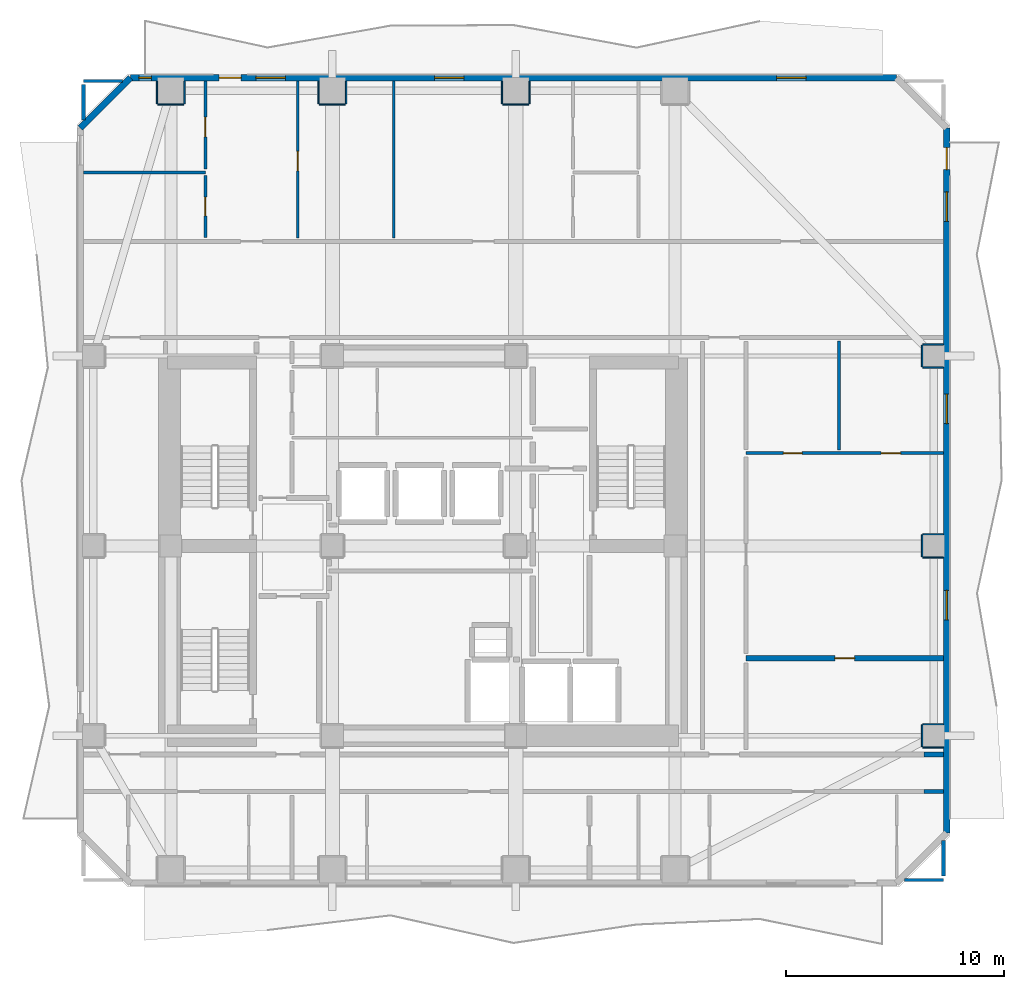
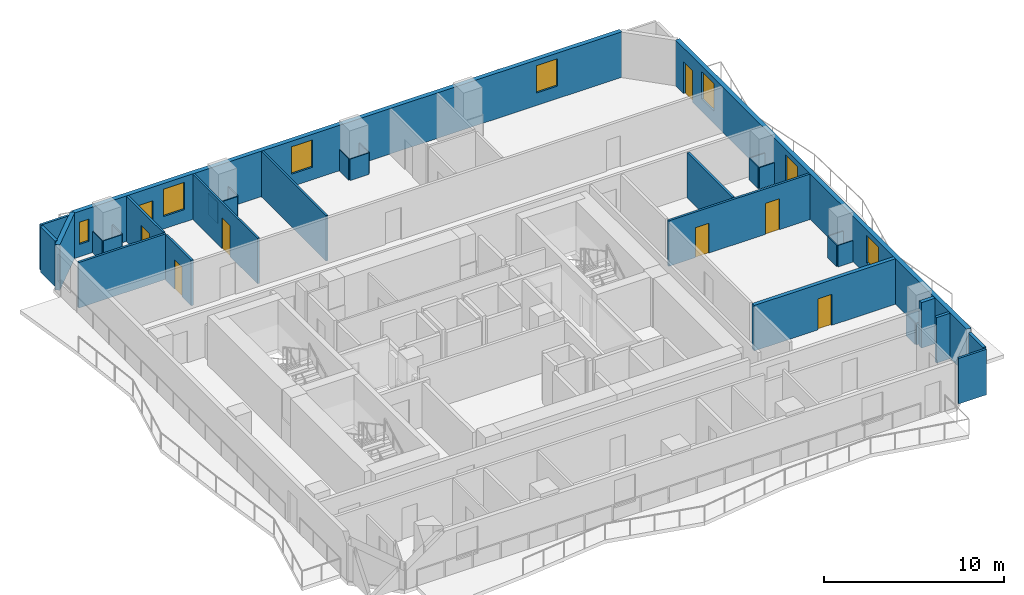
# One storey, part 5 of 9: 35 walls, 8 doors, 7 windows, 15 openings.
"""IFC4 building model written with IfcOpenShell, lengths in metres."""

from ifc_helpers import new_model, si_unit, direction, frame, frame_2d, origin, place, context, subcontext, project, spatial, rectangle, extrude, material, layer, layer_set, type_object, element, fill, save


model = new_model("IFC4")

# Units and contexts
model_context = context("Model", 3, precision=1e-05, world=origin(), true_north=direction((0.0, 1.0)))
body_context = subcontext(model_context, "Body", "Model", "MODEL_VIEW")
ifc_project = project(units=[si_unit("LENGTHUNIT", "METRE"), si_unit("AREAUNIT", "SQUARE_METRE"), si_unit("VOLUMEUNIT", "CUBIC_METRE"), si_unit("PLANEANGLEUNIT", "RADIAN"), si_unit("MASSUNIT", "GRAM", prefix="KILO")], contexts=[model_context])

# Site, building, storey
site_placement = place(None, origin())
site = spatial("IfcSite", under=ifc_project, at=site_placement, CompositionType="ELEMENT")
building_placement = place(site_placement, origin())
building = spatial("IfcBuilding", under=site, at=building_placement, Name="Solanera Arch Residences", CompositionType="ELEMENT")
storey_placement = place(building_placement, frame((0.0, 0.0, 152.56005859375)))
storey = spatial("IfcBuildingStorey", under=building, at=storey_placement, Name="L44", CompositionType="ELEMENT", Elevation=152.56005859375)

# Walls
ifc_material_1 = material(Name="Fire-Rated Gypsum Stud Partition", Category="gypsum")
ifc_layer_1 = layer(ifc_material_1, 0.06005859375)
ifc_layer_set_1 = layer_set([ifc_layer_1], Name="Fire-Rated Gypsum Stud Partition")
wall_type_1 = type_object("IfcWallType", Name="Column Acoustic Furring Wall 60", PredefinedType="PARTITIONING", material=ifc_layer_set_1)
wall_1_placement = place(storey_placement, frame((12.800048828125, 50.91796875, 0.0), z_axis=(0.0, 0.0, 1.0), x_axis=(1.0, 0.0, 0.0)))
element("IfcWall", 1, at=wall_1_placement, inside=storey, type_object=wall_type_1, Name="L44 Column Furring 10S", PredefinedType="PARTITIONING", context=body_context, shape_type="SweptSolid", body=[
    extrude(rectangle(XDim=1.199951171875, YDim=0.06005859375, at=frame_2d((0.60009765625, 0.0))), origin(), (0.0, 0.0, 1.0), 1.449951171875),
])
for number, where, z_axis, x_axis, name in (
    (2, (12.76806640625, 50.949951171875, 0.0), (0.0, 0.0, 1.0), (0.0, 1.0, 0.0), "L44 Column Furring 10W"),
    (3, (14.031982421875, 50.949951171875, 0.0), (0.0, 0.0, 1.0), (0.0, 1.0, 0.0), "L44 Column Furring 10E"),
):
    element("IfcWall", number, at=place(storey_placement, frame(where, z_axis=z_axis, x_axis=x_axis)), inside=storey, type_object=wall_type_1, Name=name, PredefinedType="PARTITIONING", context=body_context, shape_type="SweptSolid", body=[
        extrude(rectangle(XDim=1.0400390625, YDim=0.06005859375, at=frame_2d((0.52001953125, 0.0))), origin(), (0.0, 0.0, 1.0), 1.449951171875),
    ])
wall_2_placement = place(storey_placement, frame((20.199951171875, 50.91796875, 0.0), z_axis=(0.0, 0.0, 1.0), x_axis=(1.0, 0.0, 0.0)))
element("IfcWall", 4, at=wall_2_placement, inside=storey, type_object=wall_type_1, Name="L44 Column Furring 12S", PredefinedType="PARTITIONING", context=body_context, shape_type="SweptSolid", body=[
    extrude(rectangle(XDim=1.199951171875, YDim=0.06005859375, at=frame_2d((0.60009765625, 0.0))), origin(), (0.0, 0.0, 1.0), 1.449951171875),
])
for number, where, z_axis, x_axis, name in (
    (5, (20.16796875, 50.949951171875, 0.0), (0.0, 0.0, 1.0), (0.0, 1.0, 0.0), "L44 Column Furring 12W"),
    (6, (21.431884765625, 50.949951171875, 0.0), (0.0, 0.0, 1.0), (0.0, 1.0, 0.0), "L44 Column Furring 12E"),
):
    element("IfcWall", number, at=place(storey_placement, frame(where, z_axis=z_axis, x_axis=x_axis)), inside=storey, type_object=wall_type_1, Name=name, PredefinedType="PARTITIONING", context=body_context, shape_type="SweptSolid", body=[
        extrude(rectangle(XDim=1.0400390625, YDim=0.06005859375, at=frame_2d((0.52001953125, 0.0))), origin(), (0.0, 0.0, 1.0), 1.449951171875),
    ])
wall_3_placement = place(storey_placement, frame((28.60009765625, 50.91796875, 0.0), z_axis=(0.0, 0.0, 1.0), x_axis=(1.0, 0.0, 0.0)))
element("IfcWall", 7, at=wall_3_placement, inside=storey, type_object=wall_type_1, Name="L44 Column Furring 14S", PredefinedType="PARTITIONING", context=body_context, shape_type="SweptSolid", body=[
    extrude(rectangle(XDim=1.199951171875, YDim=0.06005859375, at=frame_2d((0.60009765625, 0.0))), origin(), (0.0, 0.0, 1.0), 1.449951171875),
])
for number, where, z_axis, x_axis, name in (
    (8, (28.568115234375, 50.949951171875, 0.0), (0.0, 0.0, 1.0), (0.0, 1.0, 0.0), "L44 Column Furring 14W"),
    (9, (29.83203125, 50.949951171875, 0.0), (0.0, 0.0, 1.0), (0.0, 1.0, 0.0), "L44 Column Furring 14E"),
):
    element("IfcWall", number, at=place(storey_placement, frame(where, z_axis=z_axis, x_axis=x_axis)), inside=storey, type_object=wall_type_1, Name=name, PredefinedType="PARTITIONING", context=body_context, shape_type="SweptSolid", body=[
        extrude(rectangle(XDim=1.0400390625, YDim=0.06005859375, at=frame_2d((0.52001953125, 0.0))), origin(), (0.0, 0.0, 1.0), 1.449951171875),
    ])
for number, where, z_axis, x_axis, name in (
    (10, (47.85009765625, 21.468017578125, 0.0), (0.0, 0.0, 1.0), (1.0, 0.0, 0.0), "L44 Column Furring 18S"),
    (11, (47.85009765625, 22.531982421875, 0.0), (0.0, 0.0, 1.0), (1.0, 0.0, 0.0), "L44 Column Furring 18N"),
):
    element("IfcWall", number, at=place(storey_placement, frame(where, z_axis=z_axis, x_axis=x_axis)), inside=storey, type_object=wall_type_1, Name=name, PredefinedType="PARTITIONING", context=body_context, shape_type="SweptSolid", body=[
        extrude(rectangle(XDim=0.93994140625, YDim=0.06005859375, at=frame_2d((0.469970703125, 0.0))), origin(), (0.0, 0.0, 1.0), 1.449951171875),
    ])
wall_4_placement = place(storey_placement, frame((47.818115234375, 21.5, 0.0), z_axis=(0.0, 0.0, 1.0), x_axis=(0.0, 1.0, 0.0)))
element("IfcWall", 12, at=wall_4_placement, inside=storey, type_object=wall_type_1, Name="L44 Column Furring 18W", PredefinedType="PARTITIONING", context=body_context, shape_type="SweptSolid", body=[
    extrude(rectangle(XDim=1.0, YDim=0.06005859375, at=frame_2d((0.5, 0.0))), origin(), (0.0, 0.0, 1.0), 1.449951171875),
])
for number, where, z_axis, x_axis, name in (
    (13, (47.85009765625, 30.16796875, 0.0), (0.0, 0.0, 1.0), (1.0, 0.0, 0.0), "L44 Column Furring 20S"),
    (14, (47.85009765625, 31.23193359375, 0.0), (0.0, 0.0, 1.0), (1.0, 0.0, 0.0), "L44 Column Furring 20N"),
):
    element("IfcWall", number, at=place(storey_placement, frame(where, z_axis=z_axis, x_axis=x_axis)), inside=storey, type_object=wall_type_1, Name=name, PredefinedType="PARTITIONING", context=body_context, shape_type="SweptSolid", body=[
        extrude(rectangle(XDim=0.93994140625, YDim=0.06005859375, at=frame_2d((0.469970703125, 0.0))), origin(), (0.0, 0.0, 1.0), 1.449951171875),
    ])
wall_5_placement = place(storey_placement, frame((47.818115234375, 30.199951171875, 0.0), z_axis=(0.0, 0.0, 1.0), x_axis=(0.0, 1.0, 0.0)))
element("IfcWall", 15, at=wall_5_placement, inside=storey, type_object=wall_type_1, Name="L44 Column Furring 20W", PredefinedType="PARTITIONING", context=body_context, shape_type="SweptSolid", body=[
    extrude(rectangle(XDim=1.0, YDim=0.06005859375, at=frame_2d((0.5, 0.0))), origin(), (0.0, 0.0, 1.0), 1.449951171875),
])
for number, where, z_axis, x_axis, name in (
    (16, (47.85009765625, 38.867919921875, 0.0), (0.0, 0.0, 1.0), (1.0, 0.0, 0.0), "L44 Column Furring 22S"),
    (17, (47.85009765625, 39.931884765625, 0.0), (0.0, 0.0, 1.0), (1.0, 0.0, 0.0), "L44 Column Furring 22N"),
):
    element("IfcWall", number, at=place(storey_placement, frame(where, z_axis=z_axis, x_axis=x_axis)), inside=storey, type_object=wall_type_1, Name=name, PredefinedType="PARTITIONING", context=body_context, shape_type="SweptSolid", body=[
        extrude(rectangle(XDim=0.93994140625, YDim=0.06005859375, at=frame_2d((0.469970703125, 0.0))), origin(), (0.0, 0.0, 1.0), 1.449951171875),
    ])
wall_6_placement = place(storey_placement, frame((47.818115234375, 38.89990234375, 0.0), z_axis=(0.0, 0.0, 1.0), x_axis=(0.0, 1.0, 0.0)))
element("IfcWall", 18, at=wall_6_placement, inside=storey, type_object=wall_type_1, Name="L44 Column Furring 22W", PredefinedType="PARTITIONING", context=body_context, shape_type="SweptSolid", body=[
    extrude(rectangle(XDim=1.0, YDim=0.06005859375, at=frame_2d((0.5, 0.0))), origin(), (0.0, 0.0, 1.0), 1.449951171875),
])
ifc_material_2 = material(Name="Autoclaved Aerated Concrete Blockwork", Category="masonry")
ifc_layer_2 = layer(ifc_material_2, 0.179931640625)
ifc_layer_set_2 = layer_set([ifc_layer_2], Name="Autoclaved Aerated Concrete Blockwork")
wall_type_2 = type_object("IfcWallType", Name="Corridor Fire Partition 180", PredefinedType="PARTITIONING", material=ifc_layer_set_2)
wall_7_placement = place(storey_placement, frame((47.910888671875, 19.449951171875, 0.0), z_axis=(0.0, 0.0, 1.0), x_axis=(1.0, 0.0, 0.0)))
element("IfcWall", 19, at=wall_7_placement, inside=storey, type_object=wall_type_2, Name="L44 Interior Partition H7 3", PredefinedType="PARTITIONING", context=body_context, shape_type="SweptSolid", body=[
    extrude(rectangle(XDim=0.882080078125, YDim=0.179931640625, at=frame_2d((0.44091796875, 0.0))), origin(), (0.0, 0.0, 1.0), 3.079833984375),
])
for number, where, z_axis, x_axis, name in (
    (20, (9.39990234375, 50.205078125, 0.0), (0.0, 0.0, 1.0), (0.0, 1.0, 0.0), "L44 Interior Partition V7 2"),
    (21, (48.800048828125, 15.568115234375, 0.0), (0.0, 0.0, 1.0), (0.0, 1.0, 0.0), "L44 Interior Partition V14 1"),
):
    element("IfcWall", number, at=place(storey_placement, frame(where, z_axis=z_axis, x_axis=x_axis)), inside=storey, type_object=wall_type_2, Name=name, PredefinedType="PARTITIONING", context=body_context, shape_type="SweptSolid", body=[
        extrude(rectangle(XDim=1.626953125, YDim=0.179931640625, at=frame_2d((0.8134765625, 0.0))), origin(), (0.0, 0.0, 1.0), 3.079833984375),
    ])
ifc_material_3 = material(Name="Precast Concrete C35/45", Category="concrete")
ifc_layer_3 = layer(ifc_material_3, 0.280029296875)
ifc_layer_set_3 = layer_set([ifc_layer_3], Name="Precast Concrete C35/45")
wall_type_3 = type_object("IfcWallType", Name="Exterior Wall Precast Masonry-Frame 280", PredefinedType="STANDARD", material=ifc_layer_set_3)
wall_8_placement = place(storey_placement, frame((9.2548828125, 49.844970703125, 0.0), z_axis=(0.0, 0.0, 1.0), x_axis=(0.707106781187, 0.707106781187, 0.0)))
element("IfcWall", 22, at=wall_8_placement, inside=storey, type_object=wall_type_3, Name="L44 Tower Exterior Precast Masonry-Frame Wall CH1", PredefinedType="STANDARD", context=body_context, shape_type="SweptSolid", body=[
    extrude(rectangle(XDim=3.252685546875, YDim=0.280029296875, at=frame_2d((1.62646484375, 0.0))), origin(), (0.0, 0.0, 1.0), 3.079833984375),
])

# Wall, openings, door, windows
wall_9_placement = place(storey_placement, frame((11.554931640625, 52.14501953125, 0.0), z_axis=(0.0, 0.0, 1.0), x_axis=(1.0, 0.0, 0.0)))
wall_9 = element("IfcWall", 23, at=wall_9_placement, inside=storey, type_object=wall_type_3, Name="L44 Tower Exterior Precast Masonry-Frame Wall N", PredefinedType="STANDARD", context=body_context, shape_type="SweptSolid", body=[
    extrude(rectangle(XDim=35.090087890625, YDim=0.280029296875, at=frame_2d((17.544921875, 0.0))), origin(), (0.0, 0.0, 1.0), 3.079833984375),
])
opening_1_placement = place(wall_9_placement, frame((4.06201171875, 0.0, 0.0)))
opening_1 = element("IfcOpeningElement", 24, at=opening_1_placement, cuts=wall_9, Name="Opening DB-01", PredefinedType="OPENING", context=body_context, shape_type="SweptSolid", body=[
    extrude(rectangle(XDim=1.0, YDim=2.14990234375, at=frame_2d((0.5, 1.074951171875))), frame((0.0, 0.14990234375, 0.0), z_axis=(0.0, -1.0, 0.0), x_axis=(1.0, 0.0, 0.0)), (0.0, 0.0, 1.0), 0.3),
])
opening_2_placement = place(wall_9_placement, frame((5.738037109375, 0.0, 0.85009765625)))
opening_2 = element("IfcOpeningElement", 25, at=opening_2_placement, cuts=wall_9, Name="Opening W-10", PredefinedType="OPENING", context=body_context, shape_type="SweptSolid", body=[
    extrude(rectangle(XDim=1.35009765625, YDim=1.85009765625, at=frame_2d((0.675048828125, 0.925048828125))), frame((0.0, 0.14990234375, 0.0), z_axis=(0.0, -1.0, 0.0), x_axis=(1.0, 0.0, 0.0)), (0.0, 0.0, 1.0), 0.3),
])
opening_3_placement = place(wall_9_placement, frame((0.3779296875, 0.0, 0.85009765625)))
opening_3 = element("IfcOpeningElement", 26, at=opening_3_placement, cuts=wall_9, Name="Opening W-14", PredefinedType="OPENING", context=body_context, shape_type="SweptSolid", body=[
    extrude(rectangle(XDim=0.580078125, YDim=1.5, at=frame_2d((0.2900390625, 0.75))), frame((0.0, 0.14990234375, 0.0), z_axis=(0.0, -1.0, 0.0), x_axis=(1.0, 0.0, 0.0)), (0.0, 0.0, 1.0), 0.3),
])
opening_4_placement = place(wall_9_placement, frame((13.925048828125, 0.0, 0.85009765625)))
opening_4 = element("IfcOpeningElement", 27, at=opening_4_placement, cuts=wall_9, Name="Opening W-10", PredefinedType="OPENING", context=body_context, shape_type="SweptSolid", body=[
    extrude(rectangle(XDim=1.35009765625, YDim=1.85009765625, at=frame_2d((0.675048828125, 0.925048828125))), frame((0.0, 0.14990234375, 0.0), z_axis=(0.0, -1.0, 0.0), x_axis=(1.0, 0.0, 0.0)), (0.0, 0.0, 1.0), 0.3),
])
opening_5_placement = place(wall_9_placement, frame((29.597900390625, 0.0, 0.85009765625)))
opening_5 = element("IfcOpeningElement", 28, at=opening_5_placement, cuts=wall_9, Name="Opening W-10", PredefinedType="OPENING", context=body_context, shape_type="SweptSolid", body=[
    extrude(rectangle(XDim=1.35009765625, YDim=1.85009765625, at=frame_2d((0.675048828125, 0.925048828125))), frame((0.0, 0.14990234375, 0.0), z_axis=(0.0, -1.0, 0.0), x_axis=(1.0, 0.0, 0.0)), (0.0, 0.0, 1.0), 0.3),
])
ifc_material_4 = material(Name="Anodised Aluminium Alloy 6063-T6", Category="aluminium")
door_type_1 = type_object("IfcDoorType", Name="Glazed Balcony Swing Door DB-01", OperationType="NOTDEFINED", PredefinedType="DOOR", material=ifc_material_4)
door_1_placement = place(opening_1_placement, origin())
door_1 = element("IfcDoor", 29, at=door_1_placement, inside=storey, type_object=door_type_1, Name="DR-L44-OUT-02", OperationType="SINGLE_SWING_LEFT", OverallHeight=2.14990234375, OverallWidth=1.0, PredefinedType="DOOR", context=body_context, shape_type="SweptSolid", body=[
    extrude(rectangle(XDim=1.0, YDim=2.14990234375, at=frame_2d((0.5, 1.074951171875))), frame((0.0, 0.02490234375, 0.0), z_axis=(0.0, -1.0, 0.0), x_axis=(1.0, 0.0, 0.0)), (0.0, 0.0, 1.0), 0.050048828125),
])
fill(opening_1, door_1)
ifc_material_5 = material(Name="Double Glazed Low-E Laminated Glass", Category="glass")
window_type_1 = type_object("IfcWindowType", Name="Punched Window W-10", PartitioningType="DOUBLE_PANEL_VERTICAL", PredefinedType="WINDOW", material=ifc_material_5)
window_1_placement = place(opening_2_placement, origin())
window_1 = element("IfcWindow", 30, at=window_1_placement, inside=storey, type_object=window_type_1, Name="L44 4404-LIV Punched Window", OverallHeight=1.85009765625, OverallWidth=1.35009765625, PartitioningType="SINGLE_PANEL", PredefinedType="WINDOW", context=body_context, shape_type="SweptSolid", body=[
    extrude(rectangle(XDim=1.35009765625, YDim=1.85009765625, at=frame_2d((0.675048828125, 0.925048828125))), frame((0.0, 0.030029296875, 0.0), z_axis=(0.0, -1.0, 0.0), x_axis=(1.0, 0.0, 0.0)), (0.0, 0.0, 1.0), 0.06005859375),
])
fill(opening_2, window_1)
window_2_placement = place(opening_4_placement, origin())
window_2 = element("IfcWindow", 31, at=window_2_placement, inside=storey, type_object=window_type_1, Name="L44 4405-LIV Punched Window", OverallHeight=1.85009765625, OverallWidth=1.35009765625, PartitioningType="SINGLE_PANEL", PredefinedType="WINDOW", context=body_context, shape_type="SweptSolid", body=[
    extrude(rectangle(XDim=1.35009765625, YDim=1.85009765625, at=frame_2d((0.675048828125, 0.925048828125))), frame((0.0, 0.030029296875, 0.0), z_axis=(0.0, -1.0, 0.0), x_axis=(1.0, 0.0, 0.0)), (0.0, 0.0, 1.0), 0.06005859375),
])
fill(opening_4, window_2)
window_3_placement = place(opening_5_placement, origin())
window_3 = element("IfcWindow", 32, at=window_3_placement, inside=storey, type_object=window_type_1, Name="L44 AMN-LOUN Punched Window", OverallHeight=1.85009765625, OverallWidth=1.35009765625, PartitioningType="SINGLE_PANEL", PredefinedType="WINDOW", context=body_context, shape_type="SweptSolid", body=[
    extrude(rectangle(XDim=1.35009765625, YDim=1.85009765625, at=frame_2d((0.675048828125, 0.925048828125))), frame((0.0, 0.030029296875, 0.0), z_axis=(0.0, -1.0, 0.0), x_axis=(1.0, 0.0, 0.0)), (0.0, 0.0, 1.0), 0.06005859375),
])
fill(opening_5, window_3)
ifc_material_6 = material(Name="Double Glazed Low-E Laminated Glass", Category="glass")
window_type_2 = type_object("IfcWindowType", Name="Punched Window W-14", PartitioningType="SINGLE_PANEL", PredefinedType="WINDOW", material=ifc_material_6)
window_4_placement = place(opening_3_placement, origin())
window_4 = element("IfcWindow", 33, at=window_4_placement, inside=storey, type_object=window_type_2, Name="L44 4404-BR1 Punched Window", OverallHeight=1.5, OverallWidth=0.580078125, PartitioningType="SINGLE_PANEL", PredefinedType="WINDOW", context=body_context, shape_type="SweptSolid", body=[
    extrude(rectangle(XDim=0.580078125, YDim=1.5, at=frame_2d((0.2900390625, 0.75))), frame((0.0, 0.030029296875, 0.0), z_axis=(0.0, -1.0, 0.0), x_axis=(1.0, 0.0, 0.0)), (0.0, 0.0, 1.0), 0.06005859375),
])
fill(opening_3, window_4)

wall_10_placement = place(storey_placement, frame((48.945068359375, 49.844970703125, 0.0), z_axis=(0.0, 0.0, 1.0), x_axis=(0.0, -1.0, 0.0)))
wall_10 = element("IfcWall", 34, at=wall_10_placement, inside=storey, type_object=wall_type_3, Name="L44 Tower Exterior Precast Masonry-Frame Wall E", PredefinedType="STANDARD", context=body_context, shape_type="SweptSolid", body=[
    extrude(rectangle(XDim=32.2900390625, YDim=0.280029296875, at=frame_2d((16.14501953125, 0.0))), origin(), (0.0, 0.0, 1.0), 3.079833984375),
])
opening_6_placement = place(wall_10_placement, frame((0.904052734375, 0.0, 0.0)))
opening_6 = element("IfcOpeningElement", 35, at=opening_6_placement, cuts=wall_10, Name="Opening DB-01", PredefinedType="OPENING", context=body_context, shape_type="SweptSolid", body=[
    extrude(rectangle(XDim=1.0, YDim=2.14990234375, at=frame_2d((0.5, 1.074951171875))), frame((0.0, 0.14990234375, 0.0), z_axis=(0.0, -1.0, 0.0), x_axis=(1.0, 0.0, 0.0)), (0.0, 0.0, 1.0), 0.3),
])
opening_7_placement = place(wall_10_placement, frame((2.924072265625, 0.0, 0.85009765625)))
opening_7 = element("IfcOpeningElement", 36, at=opening_7_placement, cuts=wall_10, Name="Opening W-10", PredefinedType="OPENING", context=body_context, shape_type="SweptSolid", body=[
    extrude(rectangle(XDim=1.35009765625, YDim=1.85009765625, at=frame_2d((0.675048828125, 0.925048828125))), frame((0.0, 0.14990234375, 0.0), z_axis=(0.0, -1.0, 0.0), x_axis=(1.0, 0.0, 0.0)), (0.0, 0.0, 1.0), 0.3),
])
opening_8_placement = place(wall_10_placement, frame((21.18603515625, 0.0, 0.85009765625)))
opening_8 = element("IfcOpeningElement", 37, at=opening_8_placement, cuts=wall_10, Name="Opening W-10", PredefinedType="OPENING", context=body_context, shape_type="SweptSolid", body=[
    extrude(rectangle(XDim=1.35009765625, YDim=1.85009765625, at=frame_2d((0.675048828125, 0.925048828125))), frame((0.0, 0.14990234375, 0.0), z_axis=(0.0, -1.0, 0.0), x_axis=(1.0, 0.0, 0.0)), (0.0, 0.0, 1.0), 0.3),
])
opening_9_placement = place(wall_10_placement, frame((12.195068359375, 0.0, 0.85009765625)))
opening_9 = element("IfcOpeningElement", 38, at=opening_9_placement, cuts=wall_10, Name="Opening W-10", PredefinedType="OPENING", context=body_context, shape_type="SweptSolid", body=[
    extrude(rectangle(XDim=1.35009765625, YDim=1.85009765625, at=frame_2d((0.675048828125, 0.925048828125))), frame((0.0, 0.14990234375, 0.0), z_axis=(0.0, -1.0, 0.0), x_axis=(1.0, 0.0, 0.0)), (0.0, 0.0, 1.0), 0.3),
])
door_2_placement = place(opening_6_placement, origin())
door_2 = element("IfcDoor", 39, at=door_2_placement, inside=storey, type_object=door_type_1, Name="DR-L44-OUT-03", OperationType="SINGLE_SWING_RIGHT", OverallHeight=2.14990234375, OverallWidth=1.0, PredefinedType="DOOR", context=body_context, shape_type="SweptSolid", body=[
    extrude(rectangle(XDim=1.0, YDim=2.14990234375, at=frame_2d((0.5, 1.074951171875))), frame((0.0, 0.02490234375, 0.0), z_axis=(0.0, -1.0, 0.0), x_axis=(1.0, 0.0, 0.0)), (0.0, 0.0, 1.0), 0.050048828125),
])
fill(opening_6, door_2)
window_5_placement = place(opening_7_placement, origin())
window_5 = element("IfcWindow", 40, at=window_5_placement, inside=storey, type_object=window_type_1, Name="L44 AMN-LOUN Punched Window", OverallHeight=1.85009765625, OverallWidth=1.35009765625, PartitioningType="SINGLE_PANEL", PredefinedType="WINDOW", context=body_context, shape_type="SweptSolid", body=[
    extrude(rectangle(XDim=1.35009765625, YDim=1.85009765625, at=frame_2d((0.675048828125, 0.925048828125))), frame((0.0, 0.030029296875, 0.0), z_axis=(0.0, -1.0, 0.0), x_axis=(1.0, 0.0, 0.0)), (0.0, 0.0, 1.0), 0.06005859375),
])
fill(opening_7, window_5)
window_6_placement = place(opening_8_placement, origin())
window_6 = element("IfcWindow", 41, at=window_6_placement, inside=storey, type_object=window_type_1, Name="L44 4406-LIV Punched Window", OverallHeight=1.85009765625, OverallWidth=1.35009765625, PartitioningType="SINGLE_PANEL", PredefinedType="WINDOW", context=body_context, shape_type="SweptSolid", body=[
    extrude(rectangle(XDim=1.35009765625, YDim=1.85009765625, at=frame_2d((0.675048828125, 0.925048828125))), frame((0.0, 0.030029296875, 0.0), z_axis=(0.0, -1.0, 0.0), x_axis=(1.0, 0.0, 0.0)), (0.0, 0.0, 1.0), 0.06005859375),
])
fill(opening_8, window_6)
window_7_placement = place(opening_9_placement, origin())
window_7 = element("IfcWindow", 42, at=window_7_placement, inside=storey, type_object=window_type_1, Name="L44 4406-BR1 Punched Window", OverallHeight=1.85009765625, OverallWidth=1.35009765625, PartitioningType="SINGLE_PANEL", PredefinedType="WINDOW", context=body_context, shape_type="SweptSolid", body=[
    extrude(rectangle(XDim=1.35009765625, YDim=1.85009765625, at=frame_2d((0.675048828125, 0.925048828125))), frame((0.0, 0.030029296875, 0.0), z_axis=(0.0, -1.0, 0.0), x_axis=(1.0, 0.0, 0.0)), (0.0, 0.0, 1.0), 0.06005859375),
])
fill(opening_9, window_7)

# Wall
ifc_material_7 = material(Name="Autoclaved Aerated Concrete Blockwork", Category="masonry")
ifc_layer_4 = layer(ifc_material_7, 0.239990234375)
ifc_layer_set_4 = layer_set([ifc_layer_4], Name="Autoclaved Aerated Concrete Blockwork")
wall_type_4 = type_object("IfcWallType", Name="Shaft Wall Fire-Rated 240", PredefinedType="PARTITIONING", material=ifc_layer_set_4)
wall_11_placement = place(storey_placement, frame((47.910888671875, 21.14990234375, 0.0), z_axis=(0.0, 0.0, 1.0), x_axis=(1.0, 0.0, 0.0)))
element("IfcWall", 43, at=wall_11_placement, inside=storey, type_object=wall_type_4, Name="L44 Interior Partition H1 3", PredefinedType="PARTITIONING", context=body_context, shape_type="SweptSolid", body=[
    extrude(rectangle(XDim=0.882080078125, YDim=0.239990234375, at=frame_2d((0.44091796875, 0.0))), origin(), (0.0, 0.0, 1.0), 3.079833984375),
])

# Wall, opening, door
wall_12_placement = place(storey_placement, frame((39.75, 25.550048828125, 0.0), z_axis=(0.0, 0.0, 1.0), x_axis=(1.0, 0.0, 0.0)))
wall_12 = element("IfcWall", 44, at=wall_12_placement, inside=storey, type_object=wall_type_4, Name="L44 Interior Partition H3", PredefinedType="PARTITIONING", context=body_context, shape_type="SweptSolid", body=[
    extrude(rectangle(XDim=9.04296875, YDim=0.239990234375, at=frame_2d((4.521484375, 0.0))), origin(), (0.0, 0.0, 1.0), 3.079833984375),
])
opening_10_placement = place(wall_12_placement, frame((4.074951171875, 0.0, 0.0)))
opening_10 = element("IfcOpeningElement", 45, at=opening_10_placement, cuts=wall_12, Name="Opening DI-02", PredefinedType="OPENING", context=body_context, shape_type="SweptSolid", body=[
    extrude(rectangle(XDim=0.89990234375, YDim=2.10009765625, at=frame_2d((0.449951171875, 1.050048828125))), frame((0.0, 0.1298828125, 0.0), z_axis=(0.0, -1.0, 0.0), x_axis=(1.0, 0.0, 0.0)), (0.0, 0.0, 1.0), 0.26),
])
ifc_material_8 = material(Name="Fire-Rated Architectural Hardwood", Category="wood")
door_type_2 = type_object("IfcDoorType", Name="Suite Room Swing Door DI-02", OperationType="NOTDEFINED", PredefinedType="DOOR", material=ifc_material_8)
door_3_placement = place(opening_10_placement, origin())
door_3 = element("IfcDoor", 46, at=door_3_placement, inside=storey, type_object=door_type_2, Name="DR-L44-IN-034", OperationType="SINGLE_SWING_LEFT", OverallHeight=2.10009765625, OverallWidth=0.89990234375, PredefinedType="DOOR", context=body_context, shape_type="SweptSolid", body=[
    extrude(rectangle(XDim=0.89990234375, YDim=2.10009765625, at=frame_2d((0.449951171875, 1.050048828125))), frame((0.0, 0.02490234375, 0.0), z_axis=(0.0, -1.0, 0.0), x_axis=(1.0, 0.0, 0.0)), (0.0, 0.0, 1.0), 0.050048828125),
])
fill(opening_10, door_3)

ifc_material_9 = material(Name="Fire-Rated Gypsum Stud Partition", Category="gypsum")
ifc_layer_5 = layer(ifc_material_9, 0.1201171875)
ifc_layer_set_5 = layer_set([ifc_layer_5], Name="Fire-Rated Gypsum Stud Partition")
wall_type_5 = type_object("IfcWallType", Name="Unit Drywall Partition 120", PredefinedType="PARTITIONING", material=ifc_layer_set_5)
wall_13_placement = place(storey_placement, frame((19.219970703125, 44.80810546875, 0.0), z_axis=(0.0, 0.0, 1.0), x_axis=(0.0, 1.0, 0.0)))
wall_13 = element("IfcWall", 47, at=wall_13_placement, inside=storey, type_object=wall_type_5, Name="L44 Interior Partition V24", PredefinedType="PARTITIONING", context=body_context, shape_type="SweptSolid", body=[
    extrude(rectangle(XDim=7.184814453125, YDim=0.1201171875, at=frame_2d((3.59228515625, 0.0))), origin(), (0.0, 0.0, 1.0), 3.079833984375),
])
opening_11_placement = place(wall_13_placement, frame((3.06689453125, 0.0, 0.0)))
opening_11 = element("IfcOpeningElement", 48, at=opening_11_placement, cuts=wall_13, Name="Opening DI-02", PredefinedType="OPENING", context=body_context, shape_type="SweptSolid", body=[
    extrude(rectangle(XDim=0.89990234375, YDim=2.10009765625, at=frame_2d((0.449951171875, 1.050048828125))), frame((0.0, 0.070068359375, 0.0), z_axis=(0.0, -1.0, 0.0), x_axis=(1.0, 0.0, 0.0)), (0.0, 0.0, 1.0), 0.1401),
])
door_4_placement = place(opening_11_placement, origin())
door_4 = element("IfcDoor", 49, at=door_4_placement, inside=storey, type_object=door_type_2, Name="DR-L44-IN-028", OperationType="SINGLE_SWING_LEFT", OverallHeight=2.10009765625, OverallWidth=0.89990234375, PredefinedType="DOOR", context=body_context, shape_type="SweptSolid", body=[
    extrude(rectangle(XDim=0.89990234375, YDim=2.10009765625, at=frame_2d((0.449951171875, 1.050048828125))), frame((0.0, 0.02490234375, 0.0), z_axis=(0.0, -1.0, 0.0), x_axis=(1.0, 0.0, 0.0)), (0.0, 0.0, 1.0), 0.050048828125),
])
fill(opening_11, door_4)

# Walls
wall_14_placement = place(storey_placement, frame((23.610107421875, 44.80810546875, 0.0), z_axis=(0.0, 0.0, 1.0), x_axis=(0.0, 1.0, 0.0)))
element("IfcWall", 50, at=wall_14_placement, inside=storey, type_object=wall_type_5, Name="L44 Interior Partition V26", PredefinedType="PARTITIONING", context=body_context, shape_type="SweptSolid", body=[
    extrude(rectangle(XDim=7.184814453125, YDim=0.1201171875, at=frame_2d((3.59228515625, 0.0))), origin(), (0.0, 0.0, 1.0), 3.079833984375),
])
ifc_material_10 = material(Name="Autoclaved Aerated Concrete Blockwork", Category="masonry")
ifc_layer_6 = layer(ifc_material_10, 0.139892578125)
ifc_layer_set_6 = layer_set([ifc_layer_6], Name="Autoclaved Aerated Concrete Blockwork")
wall_type_6 = type_object("IfcWallType", Name="Wet-Room Partition 140", PredefinedType="PARTITIONING", material=ifc_layer_set_6)
wall_15_placement = place(storey_placement, frame((47.0048828125, 15.39990234375, 0.0), z_axis=(0.0, 0.0, 1.0), x_axis=(1.0, 0.0, 0.0)))
element("IfcWall", 51, at=wall_15_placement, inside=storey, type_object=wall_type_6, Name="L44 Interior Partition H13 2", PredefinedType="PARTITIONING", context=body_context, shape_type="SweptSolid", body=[
    extrude(rectangle(XDim=1.795166015625, YDim=0.139892578125, at=frame_2d((0.8974609375, 0.0))), origin(), (0.0, 0.0, 1.0), 3.079833984375),
])

# Wall, openings, doors
wall_16_placement = place(storey_placement, frame((39.75, 34.949951171875, 0.0), z_axis=(0.0, 0.0, 1.0), x_axis=(1.0, 0.0, 0.0)))
wall_16 = element("IfcWall", 52, at=wall_16_placement, inside=storey, type_object=wall_type_6, Name="L44 Interior Partition H14", PredefinedType="PARTITIONING", context=body_context, shape_type="SweptSolid", body=[
    extrude(rectangle(XDim=9.04296875, YDim=0.139892578125, at=frame_2d((4.521484375, 0.0))), origin(), (0.0, 0.0, 1.0), 3.079833984375),
])
opening_12_placement = place(wall_16_placement, frame((1.7080078125, 0.0, 0.0)))
opening_12 = element("IfcOpeningElement", 53, at=opening_12_placement, cuts=wall_16, Name="Opening DI-05", PredefinedType="OPENING", context=body_context, shape_type="SweptSolid", body=[
    extrude(rectangle(XDim=0.860107421875, YDim=2.02001953125, at=frame_2d((0.43017578125, 1.010009765625))), frame((0.0, 0.079833984375, 0.0), z_axis=(0.0, -1.0, 0.0), x_axis=(1.0, 0.0, 0.0)), (0.0, 0.0, 1.0), 0.1599),
])
opening_13_placement = place(wall_16_placement, frame((6.18701171875, 0.0, 0.0)))
opening_13 = element("IfcOpeningElement", 54, at=opening_13_placement, cuts=wall_16, Name="Opening DI-03", PredefinedType="OPENING", context=body_context, shape_type="SweptSolid", body=[
    extrude(rectangle(XDim=0.89990234375, YDim=2.10009765625, at=frame_2d((0.449951171875, 1.050048828125))), frame((0.0, 0.079833984375, 0.0), z_axis=(0.0, -1.0, 0.0), x_axis=(1.0, 0.0, 0.0)), (0.0, 0.0, 1.0), 0.1599),
])
ifc_material_11 = material(Name="Fire-Rated Architectural Hardwood", Category="wood")
door_type_3 = type_object("IfcDoorType", Name="Bathroom Swing Door DI-05", OperationType="NOTDEFINED", PredefinedType="DOOR", material=ifc_material_11)
door_5_placement = place(opening_12_placement, origin())
door_5 = element("IfcDoor", 55, at=door_5_placement, inside=storey, type_object=door_type_3, Name="DR-L44-IN-035", OperationType="SINGLE_SWING_RIGHT", OverallHeight=2.02001953125, OverallWidth=0.860107421875, PredefinedType="DOOR", context=body_context, shape_type="SweptSolid", body=[
    extrude(rectangle(XDim=0.860107421875, YDim=2.02001953125, at=frame_2d((0.43017578125, 1.010009765625))), frame((0.0, 0.02490234375, 0.0), z_axis=(0.0, -1.0, 0.0), x_axis=(1.0, 0.0, 0.0)), (0.0, 0.0, 1.0), 0.050048828125),
])
fill(opening_12, door_5)
ifc_material_12 = material(Name="Fire-Rated Architectural Hardwood", Category="wood")
door_type_4 = type_object("IfcDoorType", Name="Bedroom Swing Door DI-03", OperationType="NOTDEFINED", PredefinedType="DOOR", material=ifc_material_12)
door_6_placement = place(opening_13_placement, origin())
door_6 = element("IfcDoor", 56, at=door_6_placement, inside=storey, type_object=door_type_4, Name="DR-L44-IN-036", OperationType="SINGLE_SWING_LEFT", OverallHeight=2.10009765625, OverallWidth=0.89990234375, PredefinedType="DOOR", context=body_context, shape_type="SweptSolid", body=[
    extrude(rectangle(XDim=0.89990234375, YDim=2.10009765625, at=frame_2d((0.449951171875, 1.050048828125))), frame((0.0, 0.02490234375, 0.0), z_axis=(0.0, -1.0, 0.0), x_axis=(1.0, 0.0, 0.0)), (0.0, 0.0, 1.0), 0.050048828125),
])
fill(opening_13, door_6)

# Walls
wall_17_placement = place(storey_placement, frame((9.406982421875, 47.81005859375, 0.0), z_axis=(0.0, 0.0, 1.0), x_axis=(1.0, 0.0, 0.0)))
element("IfcWall", 57, at=wall_17_placement, inside=storey, type_object=wall_type_6, Name="L44 Interior Partition H15", PredefinedType="PARTITIONING", context=body_context, shape_type="SweptSolid", body=[
    extrude(rectangle(XDim=5.572998046875, YDim=0.139892578125, at=frame_2d((2.78662109375, 0.0))), origin(), (0.0, 0.0, 1.0), 3.079833984375),
])
wall_18_placement = place(storey_placement, frame((9.39990234375, 52.0, 0.0), z_axis=(0.0, 0.0, 1.0), x_axis=(1.0, 0.0, 0.0)))
element("IfcWall", 58, at=wall_18_placement, inside=storey, type_object=wall_type_6, Name="L44 Interior Partition H17 1", PredefinedType="PARTITIONING", context=body_context, shape_type="SweptSolid", body=[
    extrude(rectangle(XDim=1.795166015625, YDim=0.139892578125, at=frame_2d((0.8974609375, 0.0))), origin(), (0.0, 0.0, 1.0), 3.079833984375),
])

# Wall, opening, door
wall_19_placement = place(storey_placement, frame((14.97998046875, 44.818115234375, 0.0), z_axis=(0.0, 0.0, 1.0), x_axis=(0.0, 1.0, 0.0)))
wall_19 = element("IfcWall", 59, at=wall_19_placement, inside=storey, type_object=wall_type_6, Name="L44 Interior Partition V16 1", PredefinedType="PARTITIONING", context=body_context, shape_type="SweptSolid", body=[
    extrude(rectangle(XDim=2.843994140625, YDim=0.139892578125, at=frame_2d((1.421875, 0.0))), origin(), (0.0, 0.0, 1.0), 3.079833984375),
])
opening_14_placement = place(wall_19_placement, frame((0.9951171875, 0.0, 0.0)))
opening_14 = element("IfcOpeningElement", 60, at=opening_14_placement, cuts=wall_19, Name="Opening DI-05", PredefinedType="OPENING", context=body_context, shape_type="SweptSolid", body=[
    extrude(rectangle(XDim=0.860107421875, YDim=2.02001953125, at=frame_2d((0.43017578125, 1.010009765625))), frame((0.0, 0.079833984375, 0.0), z_axis=(0.0, -1.0, 0.0), x_axis=(1.0, 0.0, 0.0)), (0.0, 0.0, 1.0), 0.1599),
])
door_7_placement = place(opening_14_placement, origin())
door_7 = element("IfcDoor", 61, at=door_7_placement, inside=storey, type_object=door_type_3, Name="DR-L44-IN-026", OperationType="SINGLE_SWING_LEFT", OverallHeight=2.02001953125, OverallWidth=0.860107421875, PredefinedType="DOOR", context=body_context, shape_type="SweptSolid", body=[
    extrude(rectangle(XDim=0.860107421875, YDim=2.02001953125, at=frame_2d((0.43017578125, 1.010009765625))), frame((0.0, 0.02490234375, 0.0), z_axis=(0.0, -1.0, 0.0), x_axis=(1.0, 0.0, 0.0)), (0.0, 0.0, 1.0), 0.050048828125),
])
fill(opening_14, door_7)

wall_20_placement = place(storey_placement, frame((14.97998046875, 47.9580078125, 0.0), z_axis=(0.0, 0.0, 1.0), x_axis=(0.0, 1.0, 0.0)))
wall_20 = element("IfcWall", 62, at=wall_20_placement, inside=storey, type_object=wall_type_6, Name="L44 Interior Partition V16 2", PredefinedType="PARTITIONING", context=body_context, shape_type="SweptSolid", body=[
    extrude(rectangle(XDim=4.034912109375, YDim=0.139892578125, at=frame_2d((2.017578125, 0.0))), origin(), (0.0, 0.0, 1.0), 3.079833984375),
])
opening_15_placement = place(wall_20_placement, frame((1.48388671875, 0.0, 0.0)))
opening_15 = element("IfcOpeningElement", 63, at=opening_15_placement, cuts=wall_20, Name="Opening DI-03", PredefinedType="OPENING", context=body_context, shape_type="SweptSolid", body=[
    extrude(rectangle(XDim=0.89990234375, YDim=2.10009765625, at=frame_2d((0.449951171875, 1.050048828125))), frame((0.0, 0.079833984375, 0.0), z_axis=(0.0, -1.0, 0.0), x_axis=(1.0, 0.0, 0.0)), (0.0, 0.0, 1.0), 0.1599),
])
door_8_placement = place(opening_15_placement, origin())
door_8 = element("IfcDoor", 64, at=door_8_placement, inside=storey, type_object=door_type_4, Name="DR-L44-IN-027", OperationType="SINGLE_SWING_RIGHT", OverallHeight=2.10009765625, OverallWidth=0.89990234375, PredefinedType="DOOR", context=body_context, shape_type="SweptSolid", body=[
    extrude(rectangle(XDim=0.89990234375, YDim=2.10009765625, at=frame_2d((0.449951171875, 1.050048828125))), frame((0.0, 0.02490234375, 0.0), z_axis=(0.0, -1.0, 0.0), x_axis=(1.0, 0.0, 0.0)), (0.0, 0.0, 1.0), 0.050048828125),
])
fill(opening_15, door_8)

# Wall
wall_21_placement = place(storey_placement, frame((44.0, 35.097900390625, 0.0), z_axis=(0.0, 0.0, 1.0), x_axis=(0.0, 1.0, 0.0)))
element("IfcWall", 65, at=wall_21_placement, inside=storey, type_object=wall_type_6, Name="L44 Interior Partition V22", PredefinedType="PARTITIONING", context=body_context, shape_type="SweptSolid", body=[
    extrude(rectangle(XDim=4.984130859375, YDim=0.139892578125, at=frame_2d((2.4921875, 0.0))), origin(), (0.0, 0.0, 1.0), 3.079833984375),
])

save(model, "model.ifc")
